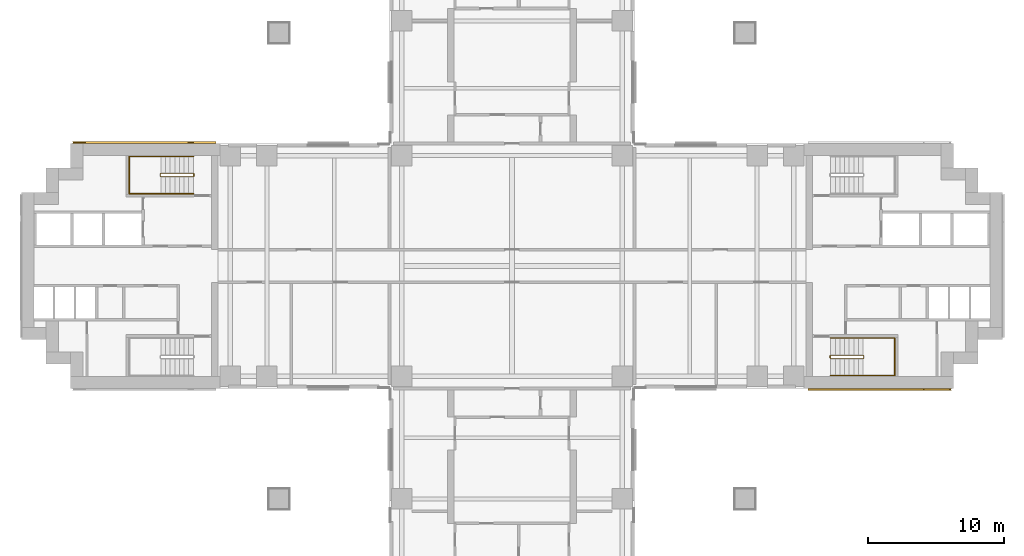
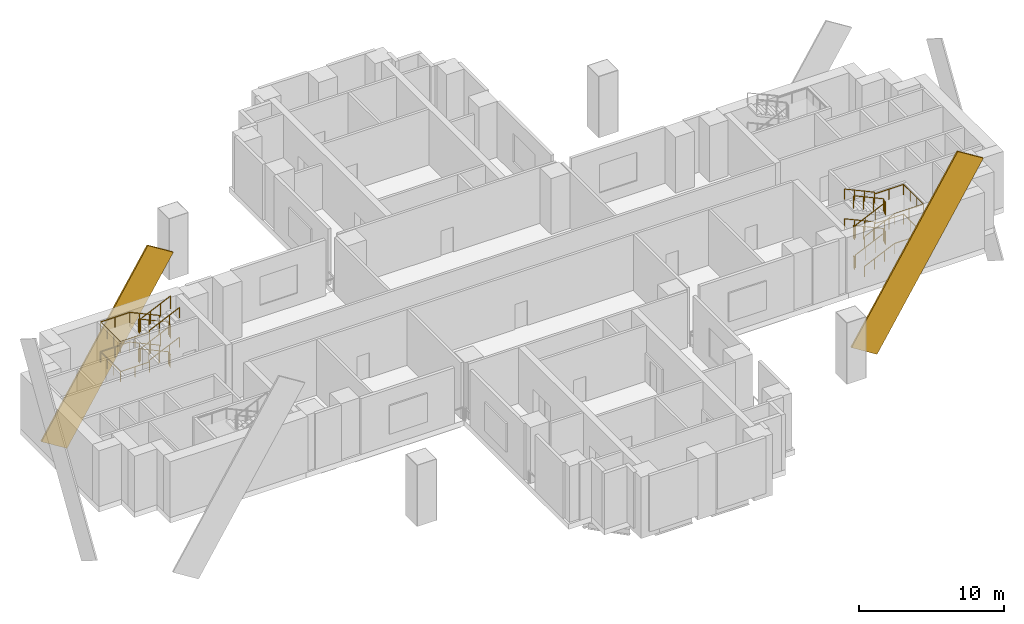
# One storey, part 9 of 10: 6 railings, 2 coverings.
"""IFC4 building model written with IfcOpenShell, lengths in metres."""

from ifc_helpers import new_model, si_unit, direction, frame, origin, origin_2d, place, context, subcontext, project, spatial, rectangle, extrude, material, material_profile, profile_set, type_object, element, save


model = new_model("IFC4")

# Units and contexts
model_context = context("Model", 3, precision=1e-05, world=origin(), true_north=direction((0.0, 1.0)))
body_context = subcontext(model_context, "Body", "Model", "MODEL_VIEW")
ifc_project = project(units=[si_unit("LENGTHUNIT", "METRE"), si_unit("AREAUNIT", "SQUARE_METRE"), si_unit("VOLUMEUNIT", "CUBIC_METRE"), si_unit("PLANEANGLEUNIT", "RADIAN"), si_unit("MASSUNIT", "GRAM", prefix="KILO")], contexts=[model_context])

# Site, building, storey
site_placement = place(None, origin())
site = spatial("IfcSite", under=ifc_project, at=site_placement, CompositionType="ELEMENT")
building_placement = place(site_placement, origin())
building = spatial("IfcBuilding", under=site, at=building_placement, Name="Perihelion Cross Residences", CompositionType="ELEMENT")
storey_placement = place(building_placement, frame((0.0, 0.0, 27.0)))
storey = spatial("IfcBuildingStorey", under=building, at=storey_placement, Name="L03", CompositionType="ELEMENT", Elevation=27.0)

# Coverings
ifc_material_1 = material(Name="Bronze anodised aluminium", Category="aluminium")
ifc_material_profile = material_profile(ifc_material_1, rectangle(XDim=0.125, YDim=2.39990234375, at=origin_2d()), Name="Bronze cladding band 2400")
ifc_profile_set = profile_set([ifc_material_profile], Name="Bronze anodised aluminium")
covering_type = type_object("IfcCoveringType", Name="Bronze cladding band 2400", PredefinedType="CLADDING", material=ifc_profile_set)
for number, where, z_axis, x_axis, name in (
    (1, (22.767578125, -9.0625, -5.214111328125), (0.529924750763, 0.0, 0.848044667767), (0.0, 1.0, 0.0), "Core cladding band, east core"),
    (2, (-31.232421875, 9.0625, -5.214111328125), (0.529924750763, 0.0, 0.848044667767), (0.0, 1.0, 0.0), "Core cladding band, west core"),
):
    element("IfcCovering", number, at=place(storey_placement, frame(where, z_axis=z_axis, x_axis=x_axis)), inside=storey, type_object=covering_type, Name=name, PredefinedType="CLADDING", context=body_context, shape_type="SweptSolid", body=[
        extrude(rectangle(XDim=0.125, YDim=2.39990234375, at=origin_2d()), origin(), (0.0, 0.0, 1.0), 15.9736328125),
    ])

# Railings
ifc_material_2 = material(Name="Stainless steel", Category="steel")
railing_type_1 = type_object("IfcRailingType", Name="Stair guard 1100", PredefinedType="GUARDRAIL", material=ifc_material_2)
railing_1_placement = place(storey_placement, frame((23.35009765625, -6.60009765625, 0.0)))
element("IfcRailing", 3, at=railing_1_placement, inside=storey, type_object=railing_type_1, Name="L03 ST-E2 stair guard 1", PredefinedType="GUARDRAIL", context=body_context, shape_type="SweptSolid", body=[
    extrude(rectangle(XDim=0.048095703125, YDim=0.048095703125, at=origin_2d()), frame((0.0, 0.0, 1.076171875), z_axis=(0.0, -1.0, 0.0), x_axis=(1.0, 0.0, 0.0)), (0.0, 0.0, 1.0), 0.14990234375),
    extrude(rectangle(XDim=0.048095703125, YDim=0.048095703125, at=origin_2d()), frame((0.0, -0.14990234375, 1.076171875), z_axis=(0.290469530425, -0.291893400672, 0.911276958196), x_axis=(0.708833529934, 0.705375805398, 0.0)), (0.0, 0.0, 1.0), 0.17138671875),
    extrude(rectangle(XDim=0.048095703125, YDim=0.048095703125, at=origin_2d()), frame((0.0498046875, -0.199951171875, 1.232421875), z_axis=(0.908651039524, 0.0, 0.417556329579), x_axis=(0.0, 1.0, 0.0)), (0.0, 0.0, 1.0), 2.619384765625),
    extrude(rectangle(XDim=0.048095703125, YDim=0.048095703125, at=origin_2d()), frame((2.429931640625, -0.199951171875, 2.326171875), z_axis=(0.707106781187, 0.707106781187, 0.0), x_axis=(-0.707106781187, 0.707106781187, 0.0)), (0.0, 0.0, 1.0), 0.07080078125),
    extrude(rectangle(XDim=0.048095703125, YDim=0.048095703125, at=origin_2d()), frame((2.47998046875, -0.14990234375, 2.326171875), z_axis=(0.0, 1.0, 0.0), x_axis=(-1.0, 0.0, 0.0)), (0.0, 0.0, 1.0), 0.14990234375),
    extrude(rectangle(XDim=0.048095703125, YDim=0.048095703125, at=origin_2d()), frame((2.47998046875, 0.0, 2.326171875), z_axis=(-0.29177245553, 0.29177245553, 0.91089937336), x_axis=(-0.707106781187, -0.707106781187, 0.0)), (0.0, 0.0, 1.0), 0.171630859375),
    extrude(rectangle(XDim=0.048095703125, YDim=0.048095703125, at=origin_2d()), frame((2.429931640625, 0.050048828125, 2.482421875), z_axis=(-0.908651039524, 0.0, 0.417556329579), x_axis=(0.0, -1.0, 0.0)), (0.0, 0.0, 1.0), 2.619384765625),
    extrude(rectangle(XDim=0.048095703125, YDim=0.048095703125, at=origin_2d()), frame((0.0498046875, 0.050048828125, 3.576171875), z_axis=(-0.241699205484, -0.970351222016, 0.0), x_axis=(0.970351222016, -0.241699205484, 0.0)), (0.0, 0.0, 1.0), 0.2060546875),
    extrude(rectangle(XDim=0.048095703125, YDim=0.048095703125, at=origin_2d()), frame((0.0, -0.14990234375, 3.576171875), z_axis=(0.0, 1.0, 0.0), x_axis=(-1.0, 0.0, 0.0)), (0.0, 0.0, 1.0), 0.14990234375),
    extrude(rectangle(XDim=0.048095703125, YDim=0.048095703125, at=origin_2d()), frame((0.0, 0.0, 3.576171875), z_axis=(0.192591976565, -0.773200141208, 0.604210122556), x_axis=(0.970351222016, 0.241699205484, 0.0)), (0.0, 0.0, 1.0), 0.258544921875),
    extrude(rectangle(XDim=0.048095703125, YDim=0.048095703125, at=origin_2d()), frame((0.0498046875, -0.199951171875, 3.732421875), z_axis=(0.908651039524, 0.0, 0.417556329579), x_axis=(0.0, 1.0, 0.0)), (0.0, 0.0, 1.0), 2.619384765625),
    extrude(rectangle(XDim=0.048095703125, YDim=0.048095703125, at=origin_2d()), frame((2.429931640625, -0.199951171875, 4.826171875), z_axis=(0.707106781187, 0.707106781187, 0.0), x_axis=(-0.707106781187, 0.707106781187, 0.0)), (0.0, 0.0, 1.0), 0.07080078125),
    extrude(rectangle(XDim=0.048095703125, YDim=0.048095703125, at=origin_2d()), frame((2.47998046875, -0.14990234375, 4.826171875), z_axis=(0.0, 1.0, 0.0), x_axis=(-1.0, 0.0, 0.0)), (0.0, 0.0, 1.0), 0.14990234375),
    extrude(rectangle(XDim=0.048095703125, YDim=0.048095703125, at=origin_2d()), frame((2.47998046875, 0.0, 4.826171875), z_axis=(-0.29177245553, 0.29177245553, 0.91089937336), x_axis=(-0.707106781187, -0.707106781187, 0.0)), (0.0, 0.0, 1.0), 0.171630859375),
    extrude(rectangle(XDim=0.048095703125, YDim=0.048095703125, at=origin_2d()), frame((2.429931640625, 0.050048828125, 4.982421875), z_axis=(-0.908651039524, 0.0, 0.417556329579), x_axis=(0.0, -1.0, 0.0)), (0.0, 0.0, 1.0), 2.619384765625),
    extrude(rectangle(XDim=0.0419921875, YDim=0.0419921875, at=origin_2d()), origin(), (0.0, 0.0, 1.0), 1.052001953125),
    extrude(rectangle(XDim=0.0419921875, YDim=0.0419921875, at=origin_2d()), frame((0.0, -0.14990234375, 0.0)), (0.0, 0.0, 1.0), 1.052001953125),
    extrude(rectangle(XDim=0.0419921875, YDim=0.0419921875, at=origin_2d()), frame((0.0498046875, -0.199951171875, 0.15625)), (0.0, 0.0, 1.0), 1.052001953125),
    extrude(rectangle(XDim=0.0419921875, YDim=0.0419921875, at=origin_2d()), frame((0.84326171875, -0.199951171875, 0.520751953125)), (0.0, 0.0, 1.0), 1.052001953125),
    extrude(rectangle(XDim=0.0419921875, YDim=0.0419921875, at=origin_2d()), frame((1.636474609375, -0.199951171875, 0.885498046875)), (0.0, 0.0, 1.0), 1.052001953125),
    extrude(rectangle(XDim=0.0419921875, YDim=0.0419921875, at=origin_2d()), frame((2.429931640625, -0.199951171875, 1.25)), (0.0, 0.0, 1.0), 1.052001953125),
    extrude(rectangle(XDim=0.0419921875, YDim=0.0419921875, at=origin_2d()), frame((2.47998046875, -0.14990234375, 1.25)), (0.0, 0.0, 1.0), 1.052001953125),
    extrude(rectangle(XDim=0.0419921875, YDim=0.0419921875, at=origin_2d()), frame((2.47998046875, 0.0, 1.25)), (0.0, 0.0, 1.0), 1.052001953125),
    extrude(rectangle(XDim=0.0419921875, YDim=0.0419921875, at=origin_2d()), frame((2.429931640625, 0.050048828125, 1.40625)), (0.0, 0.0, 1.0), 1.052001953125),
    extrude(rectangle(XDim=0.0419921875, YDim=0.0419921875, at=origin_2d()), frame((1.636474609375, 0.050048828125, 1.770751953125)), (0.0, 0.0, 1.0), 1.052001953125),
    extrude(rectangle(XDim=0.0419921875, YDim=0.0419921875, at=origin_2d()), frame((0.84326171875, 0.050048828125, 2.135498046875)), (0.0, 0.0, 1.0), 1.052001953125),
    extrude(rectangle(XDim=0.0419921875, YDim=0.0419921875, at=origin_2d()), frame((0.0498046875, 0.050048828125, 2.5)), (0.0, 0.0, 1.0), 1.052001953125),
    extrude(rectangle(XDim=0.0419921875, YDim=0.0419921875, at=origin_2d()), frame((0.0, -0.14990234375, 2.5)), (0.0, 0.0, 1.0), 1.052001953125),
    extrude(rectangle(XDim=0.0419921875, YDim=0.0419921875, at=origin_2d()), frame((0.0, 0.0, 2.5)), (0.0, 0.0, 1.0), 1.052001953125),
    extrude(rectangle(XDim=0.0419921875, YDim=0.0419921875, at=origin_2d()), frame((0.0498046875, -0.199951171875, 2.65625)), (0.0, 0.0, 1.0), 1.052001953125),
    extrude(rectangle(XDim=0.0419921875, YDim=0.0419921875, at=origin_2d()), frame((0.84326171875, -0.199951171875, 3.020751953125)), (0.0, 0.0, 1.0), 1.052001953125),
    extrude(rectangle(XDim=0.0419921875, YDim=0.0419921875, at=origin_2d()), frame((1.636474609375, -0.199951171875, 3.385498046875)), (0.0, 0.0, 1.0), 1.052001953125),
    extrude(rectangle(XDim=0.0419921875, YDim=0.0419921875, at=origin_2d()), frame((2.429931640625, -0.199951171875, 3.75)), (0.0, 0.0, 1.0), 1.052001953125),
    extrude(rectangle(XDim=0.0419921875, YDim=0.0419921875, at=origin_2d()), frame((2.47998046875, -0.14990234375, 3.75)), (0.0, 0.0, 1.0), 1.052001953125),
    extrude(rectangle(XDim=0.0419921875, YDim=0.0419921875, at=origin_2d()), frame((2.47998046875, 0.0, 3.75)), (0.0, 0.0, 1.0), 1.052001953125),
    extrude(rectangle(XDim=0.0419921875, YDim=0.0419921875, at=origin_2d()), frame((2.429931640625, 0.050048828125, 3.90625)), (0.0, 0.0, 1.0), 1.052001953125),
    extrude(rectangle(XDim=0.0419921875, YDim=0.0419921875, at=origin_2d()), frame((1.636474609375, 0.050048828125, 4.270751953125)), (0.0, 0.0, 1.0), 1.052001953125),
    extrude(rectangle(XDim=0.0419921875, YDim=0.0419921875, at=origin_2d()), frame((0.84326171875, 0.050048828125, 4.635498046875)), (0.0, 0.0, 1.0), 1.052001953125),
    extrude(rectangle(XDim=0.0419921875, YDim=0.0419921875, at=origin_2d()), frame((0.0498046875, 0.050048828125, 5.0)), (0.0, 0.0, 1.0), 1.052001953125),
])
railing_2_placement = place(storey_placement, frame((-23.35009765625, 6.60009765625, 0.0)))
element("IfcRailing", 4, at=railing_2_placement, inside=storey, type_object=railing_type_1, Name="L03 ST-W1 stair guard 1", PredefinedType="GUARDRAIL", context=body_context, shape_type="SweptSolid", body=[
    extrude(rectangle(XDim=0.048095703125, YDim=0.048095703125, at=origin_2d()), frame((0.0, 0.0, 1.076171875), z_axis=(0.0, 1.0, 0.0), x_axis=(-1.0, 0.0, 0.0)), (0.0, 0.0, 1.0), 0.14990234375),
    extrude(rectangle(XDim=0.048095703125, YDim=0.048095703125, at=origin_2d()), frame((0.0, 0.14990234375, 1.076171875), z_axis=(-0.290469530425, 0.291893400672, 0.911276958196), x_axis=(-0.708833529934, -0.705375805398, 0.0)), (0.0, 0.0, 1.0), 0.17138671875),
    extrude(rectangle(XDim=0.048095703125, YDim=0.048095703125, at=origin_2d()), frame((-0.0498046875, 0.199951171875, 1.232421875), z_axis=(-0.908651039524, 0.0, 0.417556329579), x_axis=(0.0, -1.0, 0.0)), (0.0, 0.0, 1.0), 2.619384765625),
    extrude(rectangle(XDim=0.048095703125, YDim=0.048095703125, at=origin_2d()), frame((-2.429931640625, 0.199951171875, 2.326171875), z_axis=(-0.707106781187, -0.707106781187, 0.0), x_axis=(0.707106781187, -0.707106781187, 0.0)), (0.0, 0.0, 1.0), 0.07080078125),
    extrude(rectangle(XDim=0.048095703125, YDim=0.048095703125, at=origin_2d()), frame((-2.47998046875, 0.14990234375, 2.326171875), z_axis=(0.0, -1.0, 0.0), x_axis=(1.0, 0.0, 0.0)), (0.0, 0.0, 1.0), 0.14990234375),
    extrude(rectangle(XDim=0.048095703125, YDim=0.048095703125, at=origin_2d()), frame((-2.47998046875, 0.0, 2.326171875), z_axis=(0.29177245553, -0.29177245553, 0.91089937336), x_axis=(0.707106781187, 0.707106781187, 0.0)), (0.0, 0.0, 1.0), 0.171630859375),
    extrude(rectangle(XDim=0.048095703125, YDim=0.048095703125, at=origin_2d()), frame((-2.429931640625, -0.050048828125, 2.482421875), z_axis=(0.908651039524, 0.0, 0.417556329579), x_axis=(0.0, 1.0, 0.0)), (0.0, 0.0, 1.0), 2.619384765625),
    extrude(rectangle(XDim=0.048095703125, YDim=0.048095703125, at=origin_2d()), frame((-0.0498046875, -0.050048828125, 3.576171875), z_axis=(0.241699205484, 0.970351222016, 0.0), x_axis=(-0.970351222016, 0.241699205484, 0.0)), (0.0, 0.0, 1.0), 0.2060546875),
    extrude(rectangle(XDim=0.048095703125, YDim=0.048095703125, at=origin_2d()), frame((0.0, 0.14990234375, 3.576171875), z_axis=(0.0, -1.0, 0.0), x_axis=(1.0, 0.0, 0.0)), (0.0, 0.0, 1.0), 0.14990234375),
    extrude(rectangle(XDim=0.048095703125, YDim=0.048095703125, at=origin_2d()), frame((0.0, 0.0, 3.576171875), z_axis=(-0.192591976565, 0.773200141208, 0.604210122556), x_axis=(-0.970351222016, -0.241699205484, 0.0)), (0.0, 0.0, 1.0), 0.258544921875),
    extrude(rectangle(XDim=0.048095703125, YDim=0.048095703125, at=origin_2d()), frame((-0.0498046875, 0.199951171875, 3.732421875), z_axis=(-0.908651039524, 0.0, 0.417556329579), x_axis=(0.0, -1.0, 0.0)), (0.0, 0.0, 1.0), 2.619384765625),
    extrude(rectangle(XDim=0.048095703125, YDim=0.048095703125, at=origin_2d()), frame((-2.429931640625, 0.199951171875, 4.826171875), z_axis=(-0.707106781187, -0.707106781187, 0.0), x_axis=(0.707106781187, -0.707106781187, 0.0)), (0.0, 0.0, 1.0), 0.07080078125),
    extrude(rectangle(XDim=0.048095703125, YDim=0.048095703125, at=origin_2d()), frame((-2.47998046875, 0.14990234375, 4.826171875), z_axis=(0.0, -1.0, 0.0), x_axis=(1.0, 0.0, 0.0)), (0.0, 0.0, 1.0), 0.14990234375),
    extrude(rectangle(XDim=0.048095703125, YDim=0.048095703125, at=origin_2d()), frame((-2.47998046875, 0.0, 4.826171875), z_axis=(0.29177245553, -0.29177245553, 0.91089937336), x_axis=(0.707106781187, 0.707106781187, 0.0)), (0.0, 0.0, 1.0), 0.171630859375),
    extrude(rectangle(XDim=0.048095703125, YDim=0.048095703125, at=origin_2d()), frame((-2.429931640625, -0.050048828125, 4.982421875), z_axis=(0.908651039524, 0.0, 0.417556329579), x_axis=(0.0, 1.0, 0.0)), (0.0, 0.0, 1.0), 2.619384765625),
    extrude(rectangle(XDim=0.0419921875, YDim=0.0419921875, at=origin_2d()), origin(), (0.0, 0.0, 1.0), 1.052001953125),
    extrude(rectangle(XDim=0.0419921875, YDim=0.0419921875, at=origin_2d()), frame((0.0, 0.14990234375, 0.0)), (0.0, 0.0, 1.0), 1.052001953125),
    extrude(rectangle(XDim=0.0419921875, YDim=0.0419921875, at=origin_2d()), frame((-0.0498046875, 0.199951171875, 0.15625)), (0.0, 0.0, 1.0), 1.052001953125),
    extrude(rectangle(XDim=0.0419921875, YDim=0.0419921875, at=origin_2d()), frame((-0.84326171875, 0.199951171875, 0.520751953125)), (0.0, 0.0, 1.0), 1.052001953125),
    extrude(rectangle(XDim=0.0419921875, YDim=0.0419921875, at=origin_2d()), frame((-1.636474609375, 0.199951171875, 0.885498046875)), (0.0, 0.0, 1.0), 1.052001953125),
    extrude(rectangle(XDim=0.0419921875, YDim=0.0419921875, at=origin_2d()), frame((-2.429931640625, 0.199951171875, 1.25)), (0.0, 0.0, 1.0), 1.052001953125),
    extrude(rectangle(XDim=0.0419921875, YDim=0.0419921875, at=origin_2d()), frame((-2.47998046875, 0.14990234375, 1.25)), (0.0, 0.0, 1.0), 1.052001953125),
    extrude(rectangle(XDim=0.0419921875, YDim=0.0419921875, at=origin_2d()), frame((-2.47998046875, 0.0, 1.25)), (0.0, 0.0, 1.0), 1.052001953125),
    extrude(rectangle(XDim=0.0419921875, YDim=0.0419921875, at=origin_2d()), frame((-2.429931640625, -0.050048828125, 1.40625)), (0.0, 0.0, 1.0), 1.052001953125),
    extrude(rectangle(XDim=0.0419921875, YDim=0.0419921875, at=origin_2d()), frame((-1.636474609375, -0.050048828125, 1.770751953125)), (0.0, 0.0, 1.0), 1.052001953125),
    extrude(rectangle(XDim=0.0419921875, YDim=0.0419921875, at=origin_2d()), frame((-0.84326171875, -0.050048828125, 2.135498046875)), (0.0, 0.0, 1.0), 1.052001953125),
    extrude(rectangle(XDim=0.0419921875, YDim=0.0419921875, at=origin_2d()), frame((-0.0498046875, -0.050048828125, 2.5)), (0.0, 0.0, 1.0), 1.052001953125),
    extrude(rectangle(XDim=0.0419921875, YDim=0.0419921875, at=origin_2d()), frame((0.0, 0.14990234375, 2.5)), (0.0, 0.0, 1.0), 1.052001953125),
    extrude(rectangle(XDim=0.0419921875, YDim=0.0419921875, at=origin_2d()), frame((0.0, 0.0, 2.5)), (0.0, 0.0, 1.0), 1.052001953125),
    extrude(rectangle(XDim=0.0419921875, YDim=0.0419921875, at=origin_2d()), frame((-0.0498046875, 0.199951171875, 2.65625)), (0.0, 0.0, 1.0), 1.052001953125),
    extrude(rectangle(XDim=0.0419921875, YDim=0.0419921875, at=origin_2d()), frame((-0.84326171875, 0.199951171875, 3.020751953125)), (0.0, 0.0, 1.0), 1.052001953125),
    extrude(rectangle(XDim=0.0419921875, YDim=0.0419921875, at=origin_2d()), frame((-1.636474609375, 0.199951171875, 3.385498046875)), (0.0, 0.0, 1.0), 1.052001953125),
    extrude(rectangle(XDim=0.0419921875, YDim=0.0419921875, at=origin_2d()), frame((-2.429931640625, 0.199951171875, 3.75)), (0.0, 0.0, 1.0), 1.052001953125),
    extrude(rectangle(XDim=0.0419921875, YDim=0.0419921875, at=origin_2d()), frame((-2.47998046875, 0.14990234375, 3.75)), (0.0, 0.0, 1.0), 1.052001953125),
    extrude(rectangle(XDim=0.0419921875, YDim=0.0419921875, at=origin_2d()), frame((-2.47998046875, 0.0, 3.75)), (0.0, 0.0, 1.0), 1.052001953125),
    extrude(rectangle(XDim=0.0419921875, YDim=0.0419921875, at=origin_2d()), frame((-2.429931640625, -0.050048828125, 3.90625)), (0.0, 0.0, 1.0), 1.052001953125),
    extrude(rectangle(XDim=0.0419921875, YDim=0.0419921875, at=origin_2d()), frame((-1.636474609375, -0.050048828125, 4.270751953125)), (0.0, 0.0, 1.0), 1.052001953125),
    extrude(rectangle(XDim=0.0419921875, YDim=0.0419921875, at=origin_2d()), frame((-0.84326171875, -0.050048828125, 4.635498046875)), (0.0, 0.0, 1.0), 1.052001953125),
    extrude(rectangle(XDim=0.0419921875, YDim=0.0419921875, at=origin_2d()), frame((-0.0498046875, -0.050048828125, 5.0)), (0.0, 0.0, 1.0), 1.052001953125),
])
ifc_material_3 = material(Name="Stainless steel", Category="steel")
railing_type_2 = type_object("IfcRailingType", Name="Stair handrail 900", PredefinedType="HANDRAIL", material=ifc_material_3)
railing_3_placement = place(storey_placement, frame((23.39990234375, -8.050048828125, 0.15625)))
element("IfcRailing", 5, at=railing_3_placement, inside=storey, type_object=railing_type_2, Name="L03 ST-E2 stair handrail 1", PredefinedType="HANDRAIL", context=body_context, shape_type="SweptSolid", body=[
    extrude(rectangle(XDim=0.048095703125, YDim=0.048095703125, at=origin_2d()), frame((0.0, 0.0, 0.8759765625), z_axis=(0.908651039524, 0.0, 0.417556329579), x_axis=(0.0, 1.0, 0.0)), (0.0, 0.0, 1.0), 2.619384765625),
    extrude(rectangle(XDim=0.048095703125, YDim=0.048095703125, at=origin_2d()), frame((2.380126953125, 0.0, 1.9697265625), z_axis=(1.0, 0.0, 0.0), x_axis=(0.0, 1.0, 0.0)), (0.0, 0.0, 1.0), 2.320068359375),
    extrude(rectangle(XDim=0.048095703125, YDim=0.048095703125, at=origin_2d()), frame((4.7001953125, 0.0, 1.9697265625), z_axis=(0.0, 1.0, 0.0), x_axis=(-1.0, 0.0, 0.0)), (0.0, 0.0, 1.0), 2.75),
    extrude(rectangle(XDim=0.048095703125, YDim=0.048095703125, at=origin_2d()), frame((4.7001953125, 2.75, 1.9697265625), z_axis=(-1.0, 0.0, 0.0), x_axis=(0.0, -1.0, 0.0)), (0.0, 0.0, 1.0), 2.320068359375),
    extrude(rectangle(XDim=0.048095703125, YDim=0.048095703125, at=origin_2d()), frame((2.380126953125, 2.75, 1.9697265625), z_axis=(0.0, 0.0, 1.0), x_axis=(1.0, 0.0, 0.0)), (0.0, 0.0, 1.0), 0.15625),
    extrude(rectangle(XDim=0.048095703125, YDim=0.048095703125, at=origin_2d()), frame((2.380126953125, 2.75, 2.1259765625), z_axis=(-0.908651039524, 0.0, 0.417556329579), x_axis=(0.0, -1.0, 0.0)), (0.0, 0.0, 1.0), 2.619384765625),
    extrude(rectangle(XDim=0.0419921875, YDim=0.0419921875, at=origin_2d()), origin(), (0.0, 0.0, 1.0), 0.851806640625),
    extrude(rectangle(XDim=0.0419921875, YDim=0.0419921875, at=origin_2d()), frame((0.79345703125, 0.0, 0.364501953125)), (0.0, 0.0, 1.0), 0.851806640625),
    extrude(rectangle(XDim=0.0419921875, YDim=0.0419921875, at=origin_2d()), frame((1.586669921875, 0.0, 0.729248046875)), (0.0, 0.0, 1.0), 0.851806640625),
    extrude(rectangle(XDim=0.0419921875, YDim=0.0419921875, at=origin_2d()), frame((2.380126953125, 0.0, 1.09375)), (0.0, 0.0, 1.0), 0.851806640625),
    extrude(rectangle(XDim=0.0419921875, YDim=0.0419921875, at=origin_2d()), frame((3.5400390625, 0.0, 1.09375)), (0.0, 0.0, 1.0), 0.851806640625),
    extrude(rectangle(XDim=0.0419921875, YDim=0.0419921875, at=origin_2d()), frame((4.7001953125, 0.0, 1.09375)), (0.0, 0.0, 1.0), 0.851806640625),
    extrude(rectangle(XDim=0.0419921875, YDim=0.0419921875, at=origin_2d()), frame((4.7001953125, 0.916748046875, 1.09375)), (0.0, 0.0, 1.0), 0.851806640625),
    extrude(rectangle(XDim=0.0419921875, YDim=0.0419921875, at=origin_2d()), frame((4.7001953125, 1.833251953125, 1.09375)), (0.0, 0.0, 1.0), 0.851806640625),
    extrude(rectangle(XDim=0.0419921875, YDim=0.0419921875, at=origin_2d()), frame((4.7001953125, 2.75, 1.09375)), (0.0, 0.0, 1.0), 0.851806640625),
    extrude(rectangle(XDim=0.0419921875, YDim=0.0419921875, at=origin_2d()), frame((3.5400390625, 2.75, 1.09375)), (0.0, 0.0, 1.0), 0.851806640625),
    extrude(rectangle(XDim=0.0419921875, YDim=0.0419921875, at=origin_2d()), frame((2.380126953125, 2.75, 1.09375)), (0.0, 0.0, 1.0), 0.851806640625),
    extrude(rectangle(XDim=0.0419921875, YDim=0.0419921875, at=origin_2d()), frame((2.380126953125, 2.75, 1.25)), (0.0, 0.0, 1.0), 0.851806640625),
    extrude(rectangle(XDim=0.0419921875, YDim=0.0419921875, at=origin_2d()), frame((1.586669921875, 2.75, 1.614501953125)), (0.0, 0.0, 1.0), 0.851806640625),
    extrude(rectangle(XDim=0.0419921875, YDim=0.0419921875, at=origin_2d()), frame((0.79345703125, 2.75, 1.979248046875)), (0.0, 0.0, 1.0), 0.851806640625),
    extrude(rectangle(XDim=0.0419921875, YDim=0.0419921875, at=origin_2d()), frame((0.0, 2.75, 2.34375)), (0.0, 0.0, 1.0), 0.851806640625),
])
railing_4_placement = place(storey_placement, frame((23.39990234375, -8.050048828125, 2.65625)))
element("IfcRailing", 6, at=railing_4_placement, inside=storey, type_object=railing_type_2, Name="L03 ST-E2 stair handrail 2", PredefinedType="HANDRAIL", context=body_context, shape_type="SweptSolid", body=[
    extrude(rectangle(XDim=0.048095703125, YDim=0.048095703125, at=origin_2d()), frame((0.0, 0.0, 0.8759765625), z_axis=(0.908651039524, 0.0, 0.417556329579), x_axis=(0.0, 1.0, 0.0)), (0.0, 0.0, 1.0), 2.619384765625),
    extrude(rectangle(XDim=0.048095703125, YDim=0.048095703125, at=origin_2d()), frame((2.380126953125, 0.0, 1.9697265625), z_axis=(1.0, 0.0, 0.0), x_axis=(0.0, 1.0, 0.0)), (0.0, 0.0, 1.0), 2.320068359375),
    extrude(rectangle(XDim=0.048095703125, YDim=0.048095703125, at=origin_2d()), frame((4.7001953125, 0.0, 1.9697265625), z_axis=(0.0, 1.0, 0.0), x_axis=(-1.0, 0.0, 0.0)), (0.0, 0.0, 1.0), 2.75),
    extrude(rectangle(XDim=0.048095703125, YDim=0.048095703125, at=origin_2d()), frame((4.7001953125, 2.75, 1.9697265625), z_axis=(-1.0, 0.0, 0.0), x_axis=(0.0, -1.0, 0.0)), (0.0, 0.0, 1.0), 2.320068359375),
    extrude(rectangle(XDim=0.048095703125, YDim=0.048095703125, at=origin_2d()), frame((2.380126953125, 2.75, 1.9697265625), z_axis=(0.0, 0.0, 1.0), x_axis=(1.0, 0.0, 0.0)), (0.0, 0.0, 1.0), 0.15625),
    extrude(rectangle(XDim=0.048095703125, YDim=0.048095703125, at=origin_2d()), frame((2.380126953125, 2.75, 2.1259765625), z_axis=(-0.908651039524, 0.0, 0.417556329579), x_axis=(0.0, -1.0, 0.0)), (0.0, 0.0, 1.0), 2.619384765625),
    extrude(rectangle(XDim=0.0419921875, YDim=0.0419921875, at=origin_2d()), origin(), (0.0, 0.0, 1.0), 0.851806640625),
    extrude(rectangle(XDim=0.0419921875, YDim=0.0419921875, at=origin_2d()), frame((0.79345703125, 0.0, 0.364501953125)), (0.0, 0.0, 1.0), 0.851806640625),
    extrude(rectangle(XDim=0.0419921875, YDim=0.0419921875, at=origin_2d()), frame((1.586669921875, 0.0, 0.729248046875)), (0.0, 0.0, 1.0), 0.851806640625),
    extrude(rectangle(XDim=0.0419921875, YDim=0.0419921875, at=origin_2d()), frame((2.380126953125, 0.0, 1.09375)), (0.0, 0.0, 1.0), 0.851806640625),
    extrude(rectangle(XDim=0.0419921875, YDim=0.0419921875, at=origin_2d()), frame((3.5400390625, 0.0, 1.09375)), (0.0, 0.0, 1.0), 0.851806640625),
    extrude(rectangle(XDim=0.0419921875, YDim=0.0419921875, at=origin_2d()), frame((4.7001953125, 0.0, 1.09375)), (0.0, 0.0, 1.0), 0.851806640625),
    extrude(rectangle(XDim=0.0419921875, YDim=0.0419921875, at=origin_2d()), frame((4.7001953125, 0.916748046875, 1.09375)), (0.0, 0.0, 1.0), 0.851806640625),
    extrude(rectangle(XDim=0.0419921875, YDim=0.0419921875, at=origin_2d()), frame((4.7001953125, 1.833251953125, 1.09375)), (0.0, 0.0, 1.0), 0.851806640625),
    extrude(rectangle(XDim=0.0419921875, YDim=0.0419921875, at=origin_2d()), frame((4.7001953125, 2.75, 1.09375)), (0.0, 0.0, 1.0), 0.851806640625),
    extrude(rectangle(XDim=0.0419921875, YDim=0.0419921875, at=origin_2d()), frame((3.5400390625, 2.75, 1.09375)), (0.0, 0.0, 1.0), 0.851806640625),
    extrude(rectangle(XDim=0.0419921875, YDim=0.0419921875, at=origin_2d()), frame((2.380126953125, 2.75, 1.09375)), (0.0, 0.0, 1.0), 0.851806640625),
    extrude(rectangle(XDim=0.0419921875, YDim=0.0419921875, at=origin_2d()), frame((2.380126953125, 2.75, 1.25)), (0.0, 0.0, 1.0), 0.851806640625),
    extrude(rectangle(XDim=0.0419921875, YDim=0.0419921875, at=origin_2d()), frame((1.586669921875, 2.75, 1.614501953125)), (0.0, 0.0, 1.0), 0.851806640625),
    extrude(rectangle(XDim=0.0419921875, YDim=0.0419921875, at=origin_2d()), frame((0.79345703125, 2.75, 1.979248046875)), (0.0, 0.0, 1.0), 0.851806640625),
    extrude(rectangle(XDim=0.0419921875, YDim=0.0419921875, at=origin_2d()), frame((0.0, 2.75, 2.34375)), (0.0, 0.0, 1.0), 0.851806640625),
])
railing_5_placement = place(storey_placement, frame((-23.39990234375, 8.050048828125, 0.15625)))
element("IfcRailing", 7, at=railing_5_placement, inside=storey, type_object=railing_type_2, Name="L03 ST-W1 stair handrail 1", PredefinedType="HANDRAIL", context=body_context, shape_type="SweptSolid", body=[
    extrude(rectangle(XDim=0.048095703125, YDim=0.048095703125, at=origin_2d()), frame((0.0, 0.0, 0.8759765625), z_axis=(-0.908651039524, 0.0, 0.417556329579), x_axis=(0.0, -1.0, 0.0)), (0.0, 0.0, 1.0), 2.619384765625),
    extrude(rectangle(XDim=0.048095703125, YDim=0.048095703125, at=origin_2d()), frame((-2.380126953125, 0.0, 1.9697265625), z_axis=(-1.0, 0.0, 0.0), x_axis=(0.0, -1.0, 0.0)), (0.0, 0.0, 1.0), 2.320068359375),
    extrude(rectangle(XDim=0.048095703125, YDim=0.048095703125, at=origin_2d()), frame((-4.7001953125, 0.0, 1.9697265625), z_axis=(0.0, -1.0, 0.0), x_axis=(1.0, 0.0, 0.0)), (0.0, 0.0, 1.0), 2.75),
    extrude(rectangle(XDim=0.048095703125, YDim=0.048095703125, at=origin_2d()), frame((-4.7001953125, -2.75, 1.9697265625), z_axis=(1.0, 0.0, 0.0), x_axis=(0.0, 1.0, 0.0)), (0.0, 0.0, 1.0), 2.320068359375),
    extrude(rectangle(XDim=0.048095703125, YDim=0.048095703125, at=origin_2d()), frame((-2.380126953125, -2.75, 1.9697265625), z_axis=(0.0, 0.0, 1.0), x_axis=(1.0, 0.0, 0.0)), (0.0, 0.0, 1.0), 0.15625),
    extrude(rectangle(XDim=0.048095703125, YDim=0.048095703125, at=origin_2d()), frame((-2.380126953125, -2.75, 2.1259765625), z_axis=(0.908651039524, 0.0, 0.417556329579), x_axis=(0.0, 1.0, 0.0)), (0.0, 0.0, 1.0), 2.619384765625),
    extrude(rectangle(XDim=0.0419921875, YDim=0.0419921875, at=origin_2d()), origin(), (0.0, 0.0, 1.0), 0.851806640625),
    extrude(rectangle(XDim=0.0419921875, YDim=0.0419921875, at=origin_2d()), frame((-0.79345703125, 0.0, 0.364501953125)), (0.0, 0.0, 1.0), 0.851806640625),
    extrude(rectangle(XDim=0.0419921875, YDim=0.0419921875, at=origin_2d()), frame((-1.586669921875, 0.0, 0.729248046875)), (0.0, 0.0, 1.0), 0.851806640625),
    extrude(rectangle(XDim=0.0419921875, YDim=0.0419921875, at=origin_2d()), frame((-2.380126953125, 0.0, 1.09375)), (0.0, 0.0, 1.0), 0.851806640625),
    extrude(rectangle(XDim=0.0419921875, YDim=0.0419921875, at=origin_2d()), frame((-3.5400390625, 0.0, 1.09375)), (0.0, 0.0, 1.0), 0.851806640625),
    extrude(rectangle(XDim=0.0419921875, YDim=0.0419921875, at=origin_2d()), frame((-4.7001953125, 0.0, 1.09375)), (0.0, 0.0, 1.0), 0.851806640625),
    extrude(rectangle(XDim=0.0419921875, YDim=0.0419921875, at=origin_2d()), frame((-4.7001953125, -0.916748046875, 1.09375)), (0.0, 0.0, 1.0), 0.851806640625),
    extrude(rectangle(XDim=0.0419921875, YDim=0.0419921875, at=origin_2d()), frame((-4.7001953125, -1.833251953125, 1.09375)), (0.0, 0.0, 1.0), 0.851806640625),
    extrude(rectangle(XDim=0.0419921875, YDim=0.0419921875, at=origin_2d()), frame((-4.7001953125, -2.75, 1.09375)), (0.0, 0.0, 1.0), 0.851806640625),
    extrude(rectangle(XDim=0.0419921875, YDim=0.0419921875, at=origin_2d()), frame((-3.5400390625, -2.75, 1.09375)), (0.0, 0.0, 1.0), 0.851806640625),
    extrude(rectangle(XDim=0.0419921875, YDim=0.0419921875, at=origin_2d()), frame((-2.380126953125, -2.75, 1.09375)), (0.0, 0.0, 1.0), 0.851806640625),
    extrude(rectangle(XDim=0.0419921875, YDim=0.0419921875, at=origin_2d()), frame((-2.380126953125, -2.75, 1.25)), (0.0, 0.0, 1.0), 0.851806640625),
    extrude(rectangle(XDim=0.0419921875, YDim=0.0419921875, at=origin_2d()), frame((-1.586669921875, -2.75, 1.614501953125)), (0.0, 0.0, 1.0), 0.851806640625),
    extrude(rectangle(XDim=0.0419921875, YDim=0.0419921875, at=origin_2d()), frame((-0.79345703125, -2.75, 1.979248046875)), (0.0, 0.0, 1.0), 0.851806640625),
    extrude(rectangle(XDim=0.0419921875, YDim=0.0419921875, at=origin_2d()), frame((0.0, -2.75, 2.34375)), (0.0, 0.0, 1.0), 0.851806640625),
])
railing_6_placement = place(storey_placement, frame((-23.39990234375, 8.050048828125, 2.65625)))
element("IfcRailing", 8, at=railing_6_placement, inside=storey, type_object=railing_type_2, Name="L03 ST-W1 stair handrail 2", PredefinedType="HANDRAIL", context=body_context, shape_type="SweptSolid", body=[
    extrude(rectangle(XDim=0.048095703125, YDim=0.048095703125, at=origin_2d()), frame((0.0, 0.0, 0.8759765625), z_axis=(-0.908651039524, 0.0, 0.417556329579), x_axis=(0.0, -1.0, 0.0)), (0.0, 0.0, 1.0), 2.619384765625),
    extrude(rectangle(XDim=0.048095703125, YDim=0.048095703125, at=origin_2d()), frame((-2.380126953125, 0.0, 1.9697265625), z_axis=(-1.0, 0.0, 0.0), x_axis=(0.0, -1.0, 0.0)), (0.0, 0.0, 1.0), 2.320068359375),
    extrude(rectangle(XDim=0.048095703125, YDim=0.048095703125, at=origin_2d()), frame((-4.7001953125, 0.0, 1.9697265625), z_axis=(0.0, -1.0, 0.0), x_axis=(1.0, 0.0, 0.0)), (0.0, 0.0, 1.0), 2.75),
    extrude(rectangle(XDim=0.048095703125, YDim=0.048095703125, at=origin_2d()), frame((-4.7001953125, -2.75, 1.9697265625), z_axis=(1.0, 0.0, 0.0), x_axis=(0.0, 1.0, 0.0)), (0.0, 0.0, 1.0), 2.320068359375),
    extrude(rectangle(XDim=0.048095703125, YDim=0.048095703125, at=origin_2d()), frame((-2.380126953125, -2.75, 1.9697265625), z_axis=(0.0, 0.0, 1.0), x_axis=(1.0, 0.0, 0.0)), (0.0, 0.0, 1.0), 0.15625),
    extrude(rectangle(XDim=0.048095703125, YDim=0.048095703125, at=origin_2d()), frame((-2.380126953125, -2.75, 2.1259765625), z_axis=(0.908651039524, 0.0, 0.417556329579), x_axis=(0.0, 1.0, 0.0)), (0.0, 0.0, 1.0), 2.619384765625),
    extrude(rectangle(XDim=0.0419921875, YDim=0.0419921875, at=origin_2d()), origin(), (0.0, 0.0, 1.0), 0.851806640625),
    extrude(rectangle(XDim=0.0419921875, YDim=0.0419921875, at=origin_2d()), frame((-0.79345703125, 0.0, 0.364501953125)), (0.0, 0.0, 1.0), 0.851806640625),
    extrude(rectangle(XDim=0.0419921875, YDim=0.0419921875, at=origin_2d()), frame((-1.586669921875, 0.0, 0.729248046875)), (0.0, 0.0, 1.0), 0.851806640625),
    extrude(rectangle(XDim=0.0419921875, YDim=0.0419921875, at=origin_2d()), frame((-2.380126953125, 0.0, 1.09375)), (0.0, 0.0, 1.0), 0.851806640625),
    extrude(rectangle(XDim=0.0419921875, YDim=0.0419921875, at=origin_2d()), frame((-3.5400390625, 0.0, 1.09375)), (0.0, 0.0, 1.0), 0.851806640625),
    extrude(rectangle(XDim=0.0419921875, YDim=0.0419921875, at=origin_2d()), frame((-4.7001953125, 0.0, 1.09375)), (0.0, 0.0, 1.0), 0.851806640625),
    extrude(rectangle(XDim=0.0419921875, YDim=0.0419921875, at=origin_2d()), frame((-4.7001953125, -0.916748046875, 1.09375)), (0.0, 0.0, 1.0), 0.851806640625),
    extrude(rectangle(XDim=0.0419921875, YDim=0.0419921875, at=origin_2d()), frame((-4.7001953125, -1.833251953125, 1.09375)), (0.0, 0.0, 1.0), 0.851806640625),
    extrude(rectangle(XDim=0.0419921875, YDim=0.0419921875, at=origin_2d()), frame((-4.7001953125, -2.75, 1.09375)), (0.0, 0.0, 1.0), 0.851806640625),
    extrude(rectangle(XDim=0.0419921875, YDim=0.0419921875, at=origin_2d()), frame((-3.5400390625, -2.75, 1.09375)), (0.0, 0.0, 1.0), 0.851806640625),
    extrude(rectangle(XDim=0.0419921875, YDim=0.0419921875, at=origin_2d()), frame((-2.380126953125, -2.75, 1.09375)), (0.0, 0.0, 1.0), 0.851806640625),
    extrude(rectangle(XDim=0.0419921875, YDim=0.0419921875, at=origin_2d()), frame((-2.380126953125, -2.75, 1.25)), (0.0, 0.0, 1.0), 0.851806640625),
    extrude(rectangle(XDim=0.0419921875, YDim=0.0419921875, at=origin_2d()), frame((-1.586669921875, -2.75, 1.614501953125)), (0.0, 0.0, 1.0), 0.851806640625),
    extrude(rectangle(XDim=0.0419921875, YDim=0.0419921875, at=origin_2d()), frame((-0.79345703125, -2.75, 1.979248046875)), (0.0, 0.0, 1.0), 0.851806640625),
    extrude(rectangle(XDim=0.0419921875, YDim=0.0419921875, at=origin_2d()), frame((0.0, -2.75, 2.34375)), (0.0, 0.0, 1.0), 0.851806640625),
])

save(model, "model.ifc")
